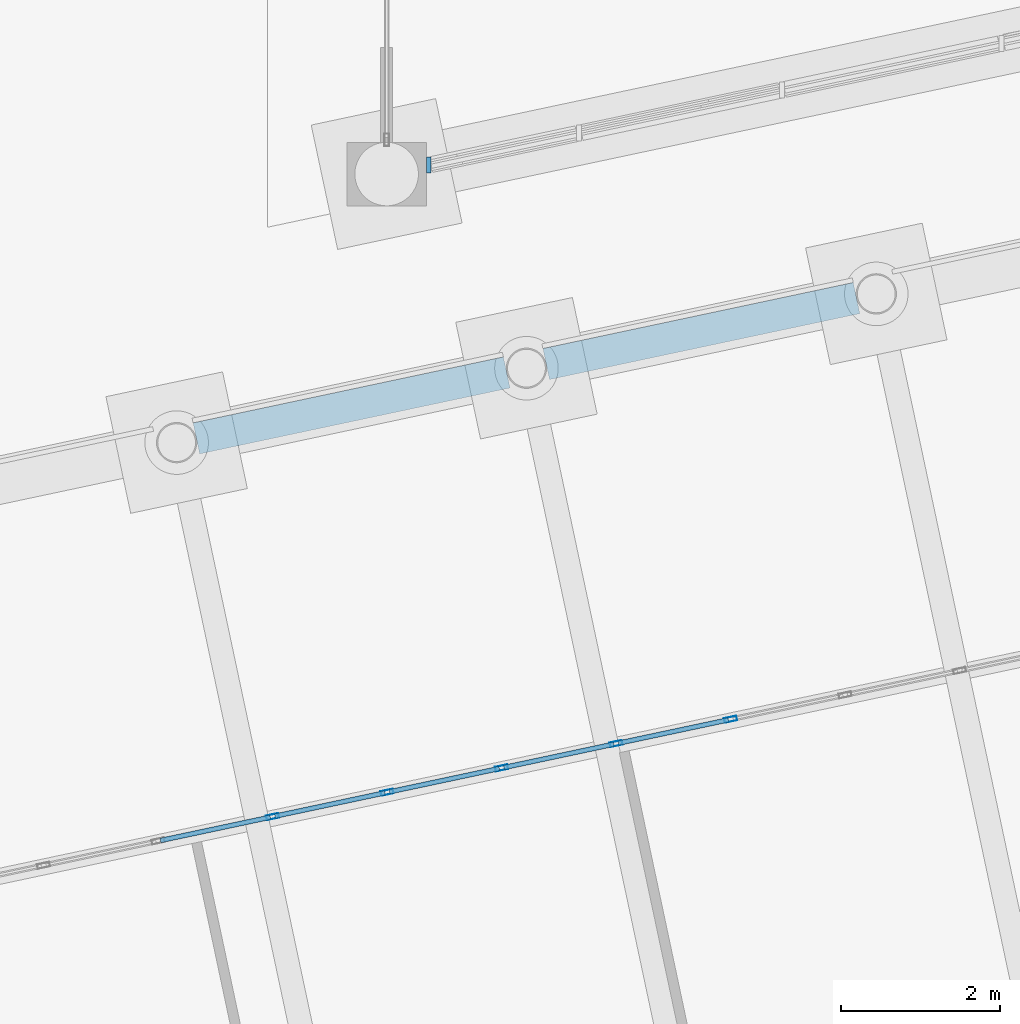
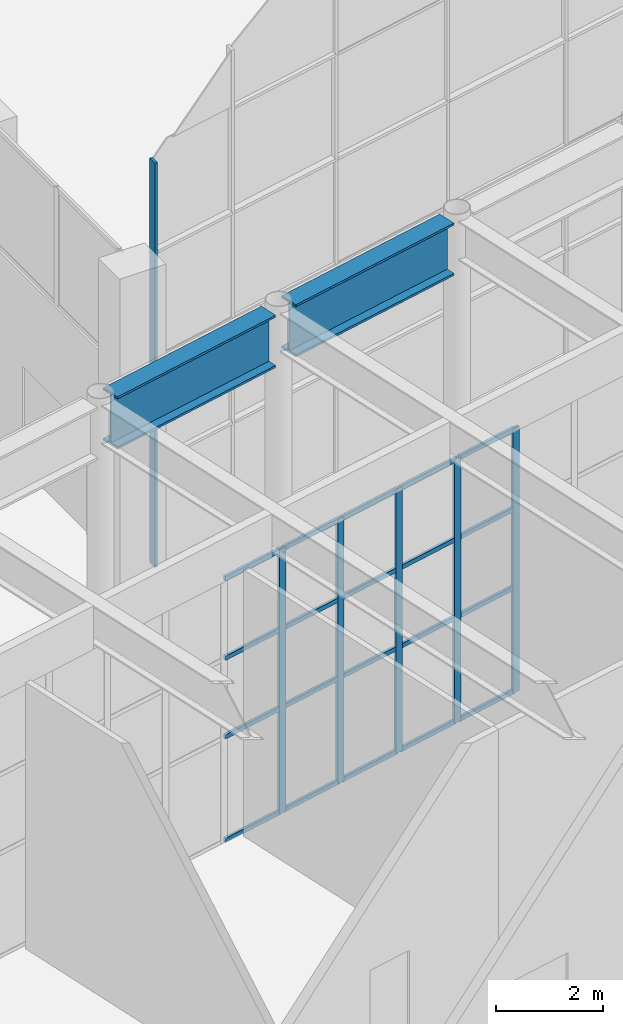
# One storey, part 100 of 239: 26 members, 2 beams, 2 elements without a shape of their own.
"""IFC4 building model written with IfcOpenShell, lengths in metres."""

import ifcopenshell
import ifcopenshell.guid

model = None  # the IFC model being written
_history = None  # IfcOwnerHistory: only IFC2X3 demands one
_inside = {}  # id of a spatial element -> (the spatial element, [elements in it])
_under = {}  # id of a project, library or spatial element -> (it, [spatial elements below it])
_declared = {}  # id of a project -> (the project, [libraries it declares])
_typed = {}  # id of a type object -> (the type object, [elements of that type])
_made_of = {}  # id of a material, layer set ... -> (it, [elements and type objects made of it])


def new_model(schema):
    """Start an empty IFC model of exactly this schema.

    Asked for "IFC4X3", IfcOpenShell would pick the latest addendum, in which some entities
    have other attributes; the version numbers below select the first issue.
    IFC2X3 requires an IfcOwnerHistory on every rooted entity: one is made here for all.
    """
    global model, _history
    if schema == "IFC4X3":
        model = ifcopenshell.file(schema_version=(4, 3, 0, 0))
    else:
        model = ifcopenshell.file(schema=schema)
    _inside.clear()
    _under.clear()
    _declared.clear()
    _typed.clear()
    _made_of.clear()
    _history = None
    if model.schema == "IFC2X3":
        org = make("IfcOrganization", Name="unknown")
        user = make(
            "IfcPersonAndOrganization",
            ThePerson=make("IfcPerson", FamilyName="unknown"),
            TheOrganization=org,
        )
        app = make(
            "IfcApplication",
            ApplicationDeveloper=org,
            Version="unknown",
            ApplicationFullName="unknown",
            ApplicationIdentifier="unknown",
        )
        _history = make(
            "IfcOwnerHistory",
            OwningUser=user,
            OwningApplication=app,
            ChangeAction="ADDED",
            CreationDate=0,
        )
    return model


def make(cls, **values):
    """One entity of the class cls with the attributes given. An attribute that is None is left unset."""
    return model.create_entity(
        cls, **{name: value for name, value in values.items() if value is not None}
    )


def rooted(cls, **values):
    """An entity with a GlobalId (a new one), such as an element, a storey or a relation."""
    return make(cls, GlobalId=ifcopenshell.guid.new(), OwnerHistory=_history, **values)


def si_unit(unit_type, name, prefix=None):
    """IfcSIUnit, for example si_unit("LENGTHUNIT", "METRE", prefix="MILLI")."""
    return make("IfcSIUnit", UnitType=unit_type, Prefix=prefix, Name=name)


def assignment(units):
    """IfcUnitAssignment: the units of a project."""
    return None if units is None else make("IfcUnitAssignment", Units=units)


def point(xyz):
    """IfcCartesianPoint."""
    return None if xyz is None else make("IfcCartesianPoint", Coordinates=xyz)


def direction(xyz):
    """IfcDirection."""
    return None if xyz is None else make("IfcDirection", DirectionRatios=xyz)


def frame(location, z_axis=None, x_axis=None):
    """IfcAxis2Placement3D, a coordinate frame: its origin and axes. An axis left out is left unset."""
    return make(
        "IfcAxis2Placement3D",
        Location=point(location),
        Axis=direction(z_axis),
        RefDirection=direction(x_axis),
    )


def frame_2d(location, x_axis=None):
    """IfcAxis2Placement2D, a coordinate frame in the plane: its origin and x axis."""
    return make(
        "IfcAxis2Placement2D", Location=point(location), RefDirection=direction(x_axis)
    )


def origin():
    """The frame at (0, 0, 0) with its axes left unset."""
    return frame((0.0, 0.0, 0.0))


def origin_2d():
    """The frame at (0, 0) in the plane with its x axis left unset."""
    return frame_2d((0.0, 0.0))


def place(relative_to, where):
    """IfcLocalPlacement: puts the frame where relative to a parent placement (None: the world)."""
    return make(
        "IfcLocalPlacement", PlacementRelTo=relative_to, RelativePlacement=where
    )


def context(
    kind, dimensions, precision=None, world=None, true_north=None, identifier=None
):
    """IfcGeometricRepresentationContext, for example the 3D "Model" context."""
    return make(
        "IfcGeometricRepresentationContext",
        ContextIdentifier=identifier,
        ContextType=kind,
        CoordinateSpaceDimension=dimensions,
        Precision=precision,
        WorldCoordinateSystem=world,
        TrueNorth=true_north,
    )


def subcontext(parent, identifier, kind, view, scale=None):
    """IfcGeometricRepresentationSubContext, for example "Body" below "Model"."""
    return make(
        "IfcGeometricRepresentationSubContext",
        ContextIdentifier=identifier,
        ContextType=kind,
        ParentContext=parent,
        TargetScale=scale,
        TargetView=view,
    )


def project(units=None, contexts=None):
    """IfcProject with its units and contexts."""
    return rooted(
        "IfcProject",
        Name="project",
        RepresentationContexts=contexts,
        UnitsInContext=assignment(units),
    )


def spatial(cls, under=None, at=None, **own):
    """A site, building, storey or space (cls), placed at a placement, below another one or the project."""
    s = rooted(cls, ObjectPlacement=at, **own)
    if under is not None:
        _under.setdefault(under.id(), (under, []))[1].append(s)
    return s


def profile(cls, at=None, kind="AREA", **sizes):
    """A parametric profile (cls). Its sizes go by their IFC names, for example OverallWidth=200.0."""
    return make(cls, ProfileType=kind, Position=at, **sizes)


def rectangle(**sizes):
    """IfcRectangleProfileDef."""
    return profile("IfcRectangleProfileDef", **sizes)


def hollow_rectangle(**sizes):
    """IfcRectangleHollowProfileDef."""
    return profile("IfcRectangleHollowProfileDef", **sizes)


def i_section(**sizes):
    """IfcIShapeProfileDef."""
    return profile("IfcIShapeProfileDef", **sizes)


def extrude(swept, where, along, depth):
    """IfcExtrudedAreaSolid: the profile swept, set in the frame where, extruded along a direction by depth."""
    return make(
        "IfcExtrudedAreaSolid",
        SweptArea=swept,
        Position=where,
        ExtrudedDirection=direction(along),
        Depth=depth,
    )


def shape(context_of_items, identifier, shape_type, items):
    """IfcShapeRepresentation: the items that make up one representation, for example the "Body"."""
    return make(
        "IfcShapeRepresentation",
        ContextOfItems=context_of_items,
        RepresentationIdentifier=identifier,
        RepresentationType=shape_type,
        Items=items,
    )


def material(Name=None, Category=None):
    """IfcMaterial."""
    return make("IfcMaterial", Name=Name, Category=Category)


def material_profile(
    of_material, cross_section, Name=None, Category=None, Priority=None
):
    """IfcMaterialProfile: a cross section and its material."""
    return make(
        "IfcMaterialProfile",
        Name=Name,
        Material=of_material,
        Profile=cross_section,
        Priority=Priority,
        Category=Category,
    )


def profile_set(profiles, Name=None, composite=None):
    """IfcMaterialProfileSet."""
    return make(
        "IfcMaterialProfileSet",
        Name=Name,
        MaterialProfiles=profiles,
        CompositeProfile=composite,
    )


def made_of(thing, what):
    """Note that an element or type object is made of a material, layer set ...; save() writes the relation."""
    if what is not None:
        _made_of.setdefault(what.id(), (what, []))[1].append(thing)
    return thing


def type_object(cls, material=None, **own):
    """A type object (cls), such as IfcWallType, which elements share."""
    return made_of(rooted(cls, **own), material)


def element(
    cls,
    number,
    at=None,
    inside=None,
    cuts=None,
    type_object=None,
    material=None,
    context=None,
    identifier="Body",
    shape_type=None,
    held_by="IfcProductDefinitionShape",
    body=None,
    shapes=None,
    **own,
):
    """One element of the class cls, such as IfcWall. Its Tag is "e" and its number.

    at: its placement. inside: the storey or other place that contains it. cuts: it is an
    opening in that element (IfcRelVoidsElement). A single representation is given by context,
    identifier, shape_type and body (its items); several are given by shapes. held_by: the class
    of the entity that holds the representations. save() writes the other relations.
    """
    e = rooted(cls, Tag="e%d" % number, ObjectPlacement=at, **own)
    if body is not None:
        shapes = [shape(context, identifier, shape_type, body)]
    if shapes is not None:
        e.Representation = make(held_by, Representations=shapes)
    if inside is not None:
        _inside.setdefault(inside.id(), (inside, []))[1].append(e)
    if cuts is not None:
        rooted(
            "IfcRelVoidsElement", RelatingBuildingElement=cuts, RelatedOpeningElement=e
        )
    if type_object is not None:
        _typed.setdefault(type_object.id(), (type_object, []))[1].append(e)
    return made_of(e, material)


def aggregate(whole, parts):
    """IfcRelAggregates: a whole, such as a stair, and the parts it consists of."""
    return rooted("IfcRelAggregates", RelatingObject=whole, RelatedObjects=parts)


def save(model, path):
    """Write the relations noted so far, then the file.

    IfcRelAggregates (storeys below a building ...), IfcRelContainedInSpatialStructure (elements
    in a storey), IfcRelDefinesByType, IfcRelAssociatesMaterial and IfcRelDeclares: one each for
    every whole, place, type object, material and project.
    """
    for whole, parts in _under.values():
        aggregate(whole, parts)
    for where, things in _inside.values():
        rooted(
            "IfcRelContainedInSpatialStructure",
            RelatedElements=things,
            RelatingStructure=where,
        )
    for kind, things in _typed.values():
        rooted("IfcRelDefinesByType", RelatedObjects=things, RelatingType=kind)
    for what, things in _made_of.values():
        rooted("IfcRelAssociatesMaterial", RelatedObjects=things, RelatingMaterial=what)
    for by, libraries in _declared.values():
        rooted("IfcRelDeclares", RelatingContext=by, RelatedDefinitions=libraries)
    model.write(path)


model = new_model("IFC4")

# Units and contexts
model_context = context("Model", 3, precision=1e-05, world=origin(), true_north=direction((0.0, 1.0)))
body_context = subcontext(model_context, "Body", "Model", "MODEL_VIEW")
ifc_project = project(units=[si_unit("LENGTHUNIT", "METRE"), si_unit("AREAUNIT", "SQUARE_METRE"), si_unit("VOLUMEUNIT", "CUBIC_METRE"), si_unit("PLANEANGLEUNIT", "RADIAN"), si_unit("MASSUNIT", "GRAM", prefix="KILO")], contexts=[model_context])

# Site, building, storey
site_placement = place(None, origin())
site = spatial("IfcSite", under=ifc_project, at=site_placement, CompositionType="ELEMENT")
building_placement = place(site_placement, origin())
building = spatial("IfcBuilding", under=site, at=building_placement, Name="Okhra Congress Centre", CompositionType="ELEMENT")
storey_placement = place(building_placement, origin())
storey = spatial("IfcBuildingStorey", under=building, at=storey_placement, Name="L00", CompositionType="ELEMENT", Elevation=0.0)

# Curtain wall, member
ifc_material_1 = material(Name="Aluminium frame with triple glazing", Category="aluminium")
curtain_wall_type_1 = type_object("IfcCurtainWallType", Name="Glazed gable curtain wall", PredefinedType="NOTDEFINED", material=ifc_material_1)
curtain_wall_1_placement = place(storey_placement, origin())
curtain_wall_1 = element("IfcCurtainWall", 1, at=curtain_wall_1_placement, inside=storey, type_object=curtain_wall_type_1, Name="South gable glazing", PredefinedType="NOTDEFINED")
ifc_material_2 = material(Name="Aluminium alloy 6063", Category="aluminium")
ifc_material_profile_1 = material_profile(ifc_material_2, rectangle(XDim=0.06005859375, YDim=0.199951171875, at=origin_2d()), Name="AL 60x200 gable")
ifc_profile_set_1 = profile_set([ifc_material_profile_1], Name="Aluminium alloy 6063")
member_type_1 = type_object("IfcMemberType", Name="Aluminium gable mullion 60x200", PredefinedType="MULLION", material=ifc_profile_set_1)
member_1_placement = place(storey_placement, frame((156.030029296875, 74.35986328125, 0.0), z_axis=(0.0, 0.0, 1.0), x_axis=(1.0, 0.0, 0.0)))
member_1 = element("IfcMember", 2, at=member_1_placement, type_object=member_type_1, Name="South gable glazing mullion 1", PredefinedType="MULLION", context=body_context, shape_type="SweptSolid", body=[
    extrude(rectangle(XDim=0.06005859375, YDim=0.199951171875, at=origin_2d()), origin(), (0.0, 0.0, 1.0), 9.254150390625),
])
aggregate(curtain_wall_1, [member_1])

# Curtain wall, members
ifc_material_3 = material(Name="Aluminium curtain wall, triple glazing", Category="aluminium")
curtain_wall_type_2 = type_object("IfcCurtainWallType", Name="Curtain wall 1500 module", PredefinedType="NOTDEFINED", material=ifc_material_3)
curtain_wall_2_placement = place(storey_placement, origin())
curtain_wall_2 = element("IfcCurtainWall", 3, at=curtain_wall_2_placement, inside=storey, type_object=curtain_wall_type_2, Name="Ground curtain wall N9", PredefinedType="NOTDEFINED")
ifc_material_4 = material(Name="Aluminium alloy EN AW-6063 T66", Category="aluminium")
ifc_material_profile_2 = material_profile(ifc_material_4, hollow_rectangle(XDim=0.06005859375, YDim=0.159912109375, WallThickness=0.00390625, at=origin_2d()), Name="RHS 60x160x4")
ifc_profile_set_2 = profile_set([ifc_material_profile_2], Name="Aluminium alloy EN AW-6063 T66")
member_type_2 = type_object("IfcMemberType", Name="Curtain wall mullion 60x160", PredefinedType="MULLION", material=ifc_profile_set_2)
member_2_placement = place(storey_placement, frame((154.065673828125, 66.161376953125, 0.0), z_axis=(0.0, 0.0, 1.0), x_axis=(-0.207911690818, 0.978147600734, 0.0)))
member_2 = element("IfcMember", 4, at=member_2_placement, type_object=member_type_2, Name="CW7 mullion 12", PredefinedType="MULLION", context=body_context, shape_type="SweptSolid", body=[
    extrude(hollow_rectangle(XDim=0.06005859375, YDim=0.159912109375, WallThickness=0.00390625, at=origin_2d()), origin(), (0.0, 0.0, 1.0), 6.050048828125),
])
member_3_placement = place(storey_placement, frame((155.506591796875, 66.467529296875, 0.0), z_axis=(0.0, 0.0, 1.0), x_axis=(-0.207911690818, 0.978147600734, 0.0)))
member_3 = element("IfcMember", 5, at=member_3_placement, type_object=member_type_2, Name="CW7 mullion 13", PredefinedType="MULLION", context=body_context, shape_type="SweptSolid", body=[
    extrude(hollow_rectangle(XDim=0.06005859375, YDim=0.159912109375, WallThickness=0.00390625, at=origin_2d()), origin(), (0.0, 0.0, 1.0), 6.050048828125),
])
member_4_placement = place(storey_placement, frame((156.947265625, 66.77392578125, 0.0), z_axis=(0.0, 0.0, 1.0), x_axis=(-0.207911690818, 0.978147600734, 0.0)))
member_4 = element("IfcMember", 6, at=member_4_placement, type_object=member_type_2, Name="CW7 mullion 14", PredefinedType="MULLION", context=body_context, shape_type="SweptSolid", body=[
    extrude(hollow_rectangle(XDim=0.06005859375, YDim=0.159912109375, WallThickness=0.00390625, at=origin_2d()), origin(), (0.0, 0.0, 1.0), 6.050048828125),
])
member_5_placement = place(storey_placement, frame((158.38818359375, 67.080078125, 0.0), z_axis=(0.0, 0.0, 1.0), x_axis=(-0.207911690818, 0.978147600734, 0.0)))
member_5 = element("IfcMember", 7, at=member_5_placement, type_object=member_type_2, Name="CW7 mullion 15", PredefinedType="MULLION", context=body_context, shape_type="SweptSolid", body=[
    extrude(hollow_rectangle(XDim=0.06005859375, YDim=0.159912109375, WallThickness=0.00390625, at=origin_2d()), origin(), (0.0, 0.0, 1.0), 6.050048828125),
])
member_6_placement = place(storey_placement, frame((159.828857421875, 67.386474609375, 0.0), z_axis=(0.0, 0.0, 1.0), x_axis=(-0.207911690818, 0.978147600734, 0.0)))
member_6 = element("IfcMember", 8, at=member_6_placement, type_object=member_type_2, Name="CW7 mullion 16", PredefinedType="MULLION", context=body_context, shape_type="SweptSolid", body=[
    extrude(hollow_rectangle(XDim=0.06005859375, YDim=0.159912109375, WallThickness=0.00390625, at=origin_2d()), origin(), (0.0, 0.0, 1.0), 6.050048828125),
])
ifc_material_profile_3 = material_profile(ifc_material_4, hollow_rectangle(XDim=0.06005859375, YDim=0.10009765625, WallThickness=0.00390625, at=origin_2d()), Name="RHS 60x100x4")
ifc_profile_set_3 = profile_set([ifc_material_profile_3], Name="Aluminium alloy EN AW-6063 T66")
member_type_3 = type_object("IfcMemberType", Name="Curtain wall transom 60x100", PredefinedType="USERDEFINED", material=ifc_profile_set_3)
member_7_placement = place(storey_placement, frame((152.654296875, 65.861328125, 0.030029296875), z_axis=(0.978157533477, 0.207864955445, 0.0), x_axis=(-0.207864955445, 0.978157533477, 0.0)))
member_7 = element("IfcMember", 9, at=member_7_placement, type_object=member_type_3, Name="CW7 transom 11.1", ObjectType="TRANSOM", PredefinedType="USERDEFINED", context=body_context, shape_type="SweptSolid", body=[
    extrude(hollow_rectangle(XDim=0.06005859375, YDim=0.10009765625, WallThickness=0.00390625, at=origin_2d()), origin(), (0.0, 0.0, 1.0), 1.412841796875),
])
member_8_placement = place(storey_placement, frame((152.654296875, 65.861328125, 2.39990234375), z_axis=(0.978157533477, 0.207864955445, 0.0), x_axis=(-0.207864955445, 0.978157533477, 0.0)))
member_8 = element("IfcMember", 10, at=member_8_placement, type_object=member_type_3, Name="CW7 transom 11.2", ObjectType="TRANSOM", PredefinedType="USERDEFINED", context=body_context, shape_type="SweptSolid", body=[
    extrude(hollow_rectangle(XDim=0.06005859375, YDim=0.10009765625, WallThickness=0.00390625, at=origin_2d()), origin(), (0.0, 0.0, 1.0), 1.412841796875),
])
member_9_placement = place(storey_placement, frame((152.654296875, 65.861328125, 4.199951171875), z_axis=(0.978157533477, 0.207864955445, 0.0), x_axis=(-0.207864955445, 0.978157533477, 0.0)))
member_9 = element("IfcMember", 11, at=member_9_placement, type_object=member_type_3, Name="CW7 transom 11.3", ObjectType="TRANSOM", PredefinedType="USERDEFINED", context=body_context, shape_type="SweptSolid", body=[
    extrude(hollow_rectangle(XDim=0.06005859375, YDim=0.10009765625, WallThickness=0.00390625, at=origin_2d()), origin(), (0.0, 0.0, 1.0), 1.412841796875),
])
member_10_placement = place(storey_placement, frame((152.654296875, 65.861328125, 6.02001953125), z_axis=(0.978157533477, 0.207864955445, 0.0), x_axis=(-0.207864955445, 0.978157533477, 0.0)))
member_10 = element("IfcMember", 12, at=member_10_placement, type_object=member_type_3, Name="CW7 transom 11.4", ObjectType="TRANSOM", PredefinedType="USERDEFINED", context=body_context, shape_type="SweptSolid", body=[
    extrude(hollow_rectangle(XDim=0.06005859375, YDim=0.10009765625, WallThickness=0.00390625, at=origin_2d()), origin(), (0.0, 0.0, 1.0), 1.412841796875),
])
member_11_placement = place(storey_placement, frame((154.094970703125, 66.16748046875, 0.030029296875), z_axis=(0.978122388538, 0.208030269528, 0.0), x_axis=(-0.208030269528, 0.978122388538, 0.0)))
member_11 = element("IfcMember", 13, at=member_11_placement, type_object=member_type_3, Name="CW7 transom 12.1", ObjectType="TRANSOM", PredefinedType="USERDEFINED", context=body_context, shape_type="SweptSolid", body=[
    extrude(hollow_rectangle(XDim=0.06005859375, YDim=0.10009765625, WallThickness=0.00390625, at=origin_2d()), origin(), (0.0, 0.0, 1.0), 1.4130859375),
])
member_12_placement = place(storey_placement, frame((154.094970703125, 66.16748046875, 2.39990234375), z_axis=(0.978122388538, 0.208030269528, 0.0), x_axis=(-0.208030269528, 0.978122388538, 0.0)))
member_12 = element("IfcMember", 14, at=member_12_placement, type_object=member_type_3, Name="CW7 transom 12.2", ObjectType="TRANSOM", PredefinedType="USERDEFINED", context=body_context, shape_type="SweptSolid", body=[
    extrude(hollow_rectangle(XDim=0.06005859375, YDim=0.10009765625, WallThickness=0.00390625, at=origin_2d()), origin(), (0.0, 0.0, 1.0), 1.4130859375),
])
member_13_placement = place(storey_placement, frame((154.094970703125, 66.16748046875, 4.199951171875), z_axis=(0.978122388538, 0.208030269528, 0.0), x_axis=(-0.208030269528, 0.978122388538, 0.0)))
member_13 = element("IfcMember", 15, at=member_13_placement, type_object=member_type_3, Name="CW7 transom 12.3", ObjectType="TRANSOM", PredefinedType="USERDEFINED", context=body_context, shape_type="SweptSolid", body=[
    extrude(hollow_rectangle(XDim=0.06005859375, YDim=0.10009765625, WallThickness=0.00390625, at=origin_2d()), origin(), (0.0, 0.0, 1.0), 1.4130859375),
])
member_14_placement = place(storey_placement, frame((154.094970703125, 66.16748046875, 6.02001953125), z_axis=(0.978122388538, 0.208030269528, 0.0), x_axis=(-0.208030269528, 0.978122388538, 0.0)))
member_14 = element("IfcMember", 16, at=member_14_placement, type_object=member_type_3, Name="CW7 transom 12.4", ObjectType="TRANSOM", PredefinedType="USERDEFINED", context=body_context, shape_type="SweptSolid", body=[
    extrude(hollow_rectangle(XDim=0.06005859375, YDim=0.10009765625, WallThickness=0.00390625, at=origin_2d()), origin(), (0.0, 0.0, 1.0), 1.4130859375),
])
member_15_placement = place(storey_placement, frame((155.535888671875, 66.473876953125, 0.030029296875), z_axis=(0.978157533477, 0.207864955445, 0.0), x_axis=(-0.207864955445, 0.978157533477, 0.0)))
member_15 = element("IfcMember", 17, at=member_15_placement, type_object=member_type_3, Name="CW7 transom 13.1", ObjectType="TRANSOM", PredefinedType="USERDEFINED", context=body_context, shape_type="SweptSolid", body=[
    extrude(hollow_rectangle(XDim=0.06005859375, YDim=0.10009765625, WallThickness=0.00390625, at=origin_2d()), origin(), (0.0, 0.0, 1.0), 1.412841796875),
])
member_16_placement = place(storey_placement, frame((155.535888671875, 66.473876953125, 2.39990234375), z_axis=(0.978157533477, 0.207864955445, 0.0), x_axis=(-0.207864955445, 0.978157533477, 0.0)))
member_16 = element("IfcMember", 18, at=member_16_placement, type_object=member_type_3, Name="CW7 transom 13.2", ObjectType="TRANSOM", PredefinedType="USERDEFINED", context=body_context, shape_type="SweptSolid", body=[
    extrude(hollow_rectangle(XDim=0.06005859375, YDim=0.10009765625, WallThickness=0.00390625, at=origin_2d()), origin(), (0.0, 0.0, 1.0), 1.412841796875),
])
member_17_placement = place(storey_placement, frame((155.535888671875, 66.473876953125, 4.199951171875), z_axis=(0.978157533477, 0.207864955445, 0.0), x_axis=(-0.207864955445, 0.978157533477, 0.0)))
member_17 = element("IfcMember", 19, at=member_17_placement, type_object=member_type_3, Name="CW7 transom 13.3", ObjectType="TRANSOM", PredefinedType="USERDEFINED", context=body_context, shape_type="SweptSolid", body=[
    extrude(hollow_rectangle(XDim=0.06005859375, YDim=0.10009765625, WallThickness=0.00390625, at=origin_2d()), origin(), (0.0, 0.0, 1.0), 1.412841796875),
])
member_18_placement = place(storey_placement, frame((155.535888671875, 66.473876953125, 6.02001953125), z_axis=(0.978157533477, 0.207864955445, 0.0), x_axis=(-0.207864955445, 0.978157533477, 0.0)))
member_18 = element("IfcMember", 20, at=member_18_placement, type_object=member_type_3, Name="CW7 transom 13.4", ObjectType="TRANSOM", PredefinedType="USERDEFINED", context=body_context, shape_type="SweptSolid", body=[
    extrude(hollow_rectangle(XDim=0.06005859375, YDim=0.10009765625, WallThickness=0.00390625, at=origin_2d()), origin(), (0.0, 0.0, 1.0), 1.412841796875),
])
member_19_placement = place(storey_placement, frame((156.9765625, 66.780029296875, 0.030029296875), z_axis=(0.978129864086, 0.20799511769, 0.0), x_axis=(-0.20799511769, 0.978129864086, 0.0)))
member_19 = element("IfcMember", 21, at=member_19_placement, type_object=member_type_3, Name="CW7 transom 14.1", ObjectType="TRANSOM", PredefinedType="USERDEFINED", context=body_context, shape_type="SweptSolid", body=[
    extrude(hollow_rectangle(XDim=0.06005859375, YDim=0.10009765625, WallThickness=0.00390625, at=origin_2d()), origin(), (0.0, 0.0, 1.0), 1.413330078125),
])
member_20_placement = place(storey_placement, frame((156.9765625, 66.780029296875, 2.39990234375), z_axis=(0.978129864086, 0.20799511769, 0.0), x_axis=(-0.20799511769, 0.978129864086, 0.0)))
member_20 = element("IfcMember", 22, at=member_20_placement, type_object=member_type_3, Name="CW7 transom 14.2", ObjectType="TRANSOM", PredefinedType="USERDEFINED", context=body_context, shape_type="SweptSolid", body=[
    extrude(hollow_rectangle(XDim=0.06005859375, YDim=0.10009765625, WallThickness=0.00390625, at=origin_2d()), origin(), (0.0, 0.0, 1.0), 1.413330078125),
])
member_21_placement = place(storey_placement, frame((156.9765625, 66.780029296875, 4.199951171875), z_axis=(0.978129864086, 0.20799511769, 0.0), x_axis=(-0.20799511769, 0.978129864086, 0.0)))
member_21 = element("IfcMember", 23, at=member_21_placement, type_object=member_type_3, Name="CW7 transom 14.3", ObjectType="TRANSOM", PredefinedType="USERDEFINED", context=body_context, shape_type="SweptSolid", body=[
    extrude(hollow_rectangle(XDim=0.06005859375, YDim=0.10009765625, WallThickness=0.00390625, at=origin_2d()), origin(), (0.0, 0.0, 1.0), 1.413330078125),
])
member_22_placement = place(storey_placement, frame((156.9765625, 66.780029296875, 6.02001953125), z_axis=(0.978129864086, 0.20799511769, 0.0), x_axis=(-0.20799511769, 0.978129864086, 0.0)))
member_22 = element("IfcMember", 24, at=member_22_placement, type_object=member_type_3, Name="CW7 transom 14.4", ObjectType="TRANSOM", PredefinedType="USERDEFINED", context=body_context, shape_type="SweptSolid", body=[
    extrude(hollow_rectangle(XDim=0.06005859375, YDim=0.10009765625, WallThickness=0.00390625, at=origin_2d()), origin(), (0.0, 0.0, 1.0), 1.413330078125),
])
member_23_placement = place(storey_placement, frame((158.41748046875, 67.08642578125, 0.030029296875), z_axis=(0.978157533477, 0.207864955445, 0.0), x_axis=(-0.207864955445, 0.978157533477, 0.0)))
member_23 = element("IfcMember", 25, at=member_23_placement, type_object=member_type_3, Name="CW7 transom 15.1", ObjectType="TRANSOM", PredefinedType="USERDEFINED", context=body_context, shape_type="SweptSolid", body=[
    extrude(hollow_rectangle(XDim=0.06005859375, YDim=0.10009765625, WallThickness=0.00390625, at=origin_2d()), origin(), (0.0, 0.0, 1.0), 1.412841796875),
])
member_24_placement = place(storey_placement, frame((158.41748046875, 67.08642578125, 2.39990234375), z_axis=(0.978157533477, 0.207864955445, 0.0), x_axis=(-0.207864955445, 0.978157533477, 0.0)))
member_24 = element("IfcMember", 26, at=member_24_placement, type_object=member_type_3, Name="CW7 transom 15.2", ObjectType="TRANSOM", PredefinedType="USERDEFINED", context=body_context, shape_type="SweptSolid", body=[
    extrude(hollow_rectangle(XDim=0.06005859375, YDim=0.10009765625, WallThickness=0.00390625, at=origin_2d()), origin(), (0.0, 0.0, 1.0), 1.412841796875),
])
member_25_placement = place(storey_placement, frame((158.41748046875, 67.08642578125, 4.199951171875), z_axis=(0.978157533477, 0.207864955445, 0.0), x_axis=(-0.207864955445, 0.978157533477, 0.0)))
member_25 = element("IfcMember", 27, at=member_25_placement, type_object=member_type_3, Name="CW7 transom 15.3", ObjectType="TRANSOM", PredefinedType="USERDEFINED", context=body_context, shape_type="SweptSolid", body=[
    extrude(hollow_rectangle(XDim=0.06005859375, YDim=0.10009765625, WallThickness=0.00390625, at=origin_2d()), origin(), (0.0, 0.0, 1.0), 1.412841796875),
])
member_26_placement = place(storey_placement, frame((158.41748046875, 67.08642578125, 6.02001953125), z_axis=(0.978157533477, 0.207864955445, 0.0), x_axis=(-0.207864955445, 0.978157533477, 0.0)))
member_26 = element("IfcMember", 28, at=member_26_placement, type_object=member_type_3, Name="CW7 transom 15.4", ObjectType="TRANSOM", PredefinedType="USERDEFINED", context=body_context, shape_type="SweptSolid", body=[
    extrude(hollow_rectangle(XDim=0.06005859375, YDim=0.10009765625, WallThickness=0.00390625, at=origin_2d()), origin(), (0.0, 0.0, 1.0), 1.412841796875),
])
aggregate(curtain_wall_2, [member_2, member_3, member_4, member_5, member_6, member_7, member_8, member_9, member_10, member_11, member_12, member_13, member_14, member_15, member_16, member_17, member_18, member_19, member_20, member_21, member_22, member_23, member_24, member_25, member_26])

# Beams
ifc_material_5 = material(Name="Steel S355J2", Category="steel")
ifc_material_profile_4 = material_profile(ifc_material_5, i_section(OverallWidth=0.39990234375, OverallDepth=1.199951171875, WebThickness=0.02490234375, FlangeThickness=0.050048828125, at=origin_2d()), Name="Plate girder 1200x400")
ifc_profile_set_4 = profile_set([ifc_material_profile_4], Name="Steel S355J2")
beam_type = type_object("IfcBeamType", Name="Perimeter plate girder 1200x400", PredefinedType="BEAM", material=ifc_profile_set_4)
for number, where, z_axis, x_axis, name in (
    (29, (153.106201171875, 70.9208984375, 6.449951171875), (0.978155431297, 0.207874847504, 0.0), (-0.207874847504, 0.978155431297, 0.0), "Perimeter girder N20"),
    (30, (157.5078125, 71.8564453125, 6.449951171875), (0.978142994281, 0.207933361295, 0.0), (-0.207933361295, 0.978142994281, 0.0), "Perimeter girder N21"),
):
    element("IfcBeam", number, at=place(storey_placement, frame(where, z_axis=z_axis, x_axis=x_axis)), inside=storey, type_object=beam_type, Name=name, PredefinedType="BEAM", context=body_context, shape_type="SweptSolid", body=[
        extrude(i_section(OverallWidth=0.39990234375, OverallDepth=1.199951171875, WebThickness=0.02490234375, FlangeThickness=0.050048828125, at=origin_2d()), origin(), (0.0, 0.0, 1.0), 3.991943359375),
    ])

save(model, "model.ifc")
